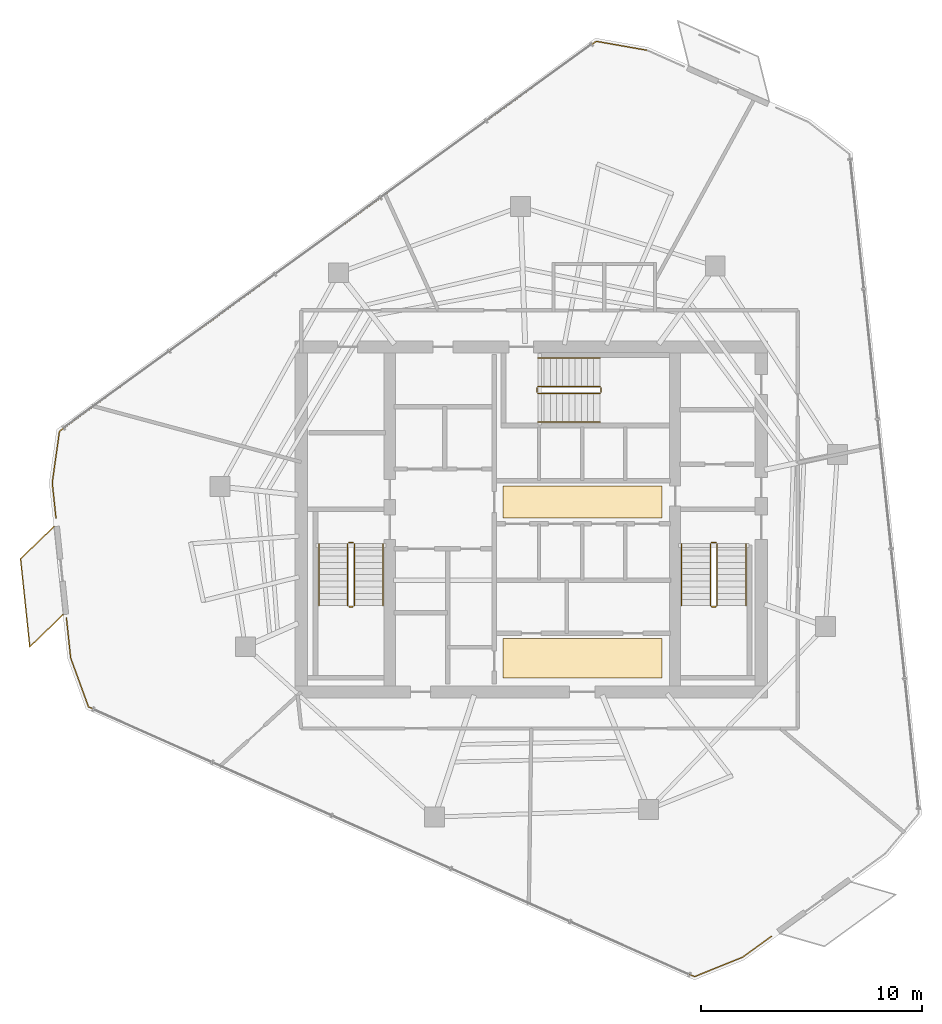
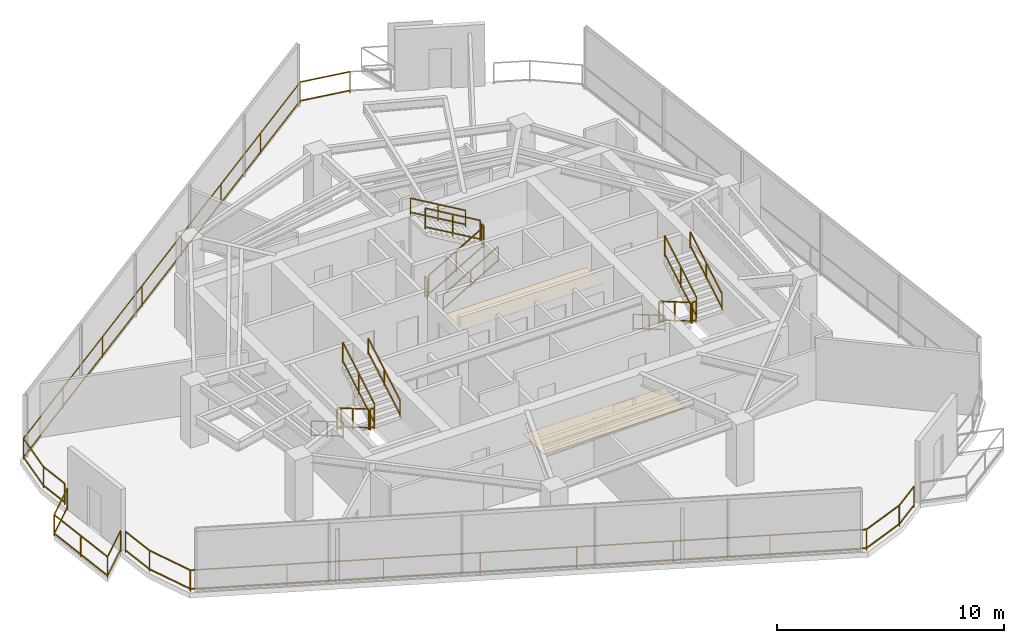
# One storey, part 19 of 20: 21 railings, 2 coverings.
"""IFC4 building model written with IfcOpenShell, lengths in metres."""

from ifc_helpers import new_model, si_unit, direction, frame, origin, origin_2d, place, context, subcontext, project, spatial, rectangle, extrude, material, layer, layer_set, type_object, element, save


model = new_model("IFC4")

# Units and contexts
model_context = context("Model", 3, precision=1e-05, world=origin(), true_north=direction((0.0, 1.0)))
body_context = subcontext(model_context, "Body", "Model", "MODEL_VIEW")
ifc_project = project(units=[si_unit("LENGTHUNIT", "METRE"), si_unit("AREAUNIT", "SQUARE_METRE"), si_unit("VOLUMEUNIT", "CUBIC_METRE"), si_unit("PLANEANGLEUNIT", "RADIAN"), si_unit("MASSUNIT", "GRAM", prefix="KILO")], contexts=[model_context])

# Site, building, storey
site_placement = place(None, origin())
site = spatial("IfcSite", under=ifc_project, at=site_placement, CompositionType="ELEMENT")
building_placement = place(site_placement, origin())
building = spatial("IfcBuilding", under=site, at=building_placement, Name="Qarnah Convention Tower", CompositionType="ELEMENT")
storey_placement = place(building_placement, frame((0.0, 0.0, 202.199951171875)))
storey = spatial("IfcBuildingStorey", under=building, at=storey_placement, Name="L54", CompositionType="ELEMENT", Elevation=202.199951171875)

# Coverings
ifc_material_1 = material(Name="Mineral fibre acoustic ceiling")
ifc_layer_1 = layer(ifc_material_1, 0.02001953125)
ifc_layer_set_1 = layer_set([ifc_layer_1], Name="Mineral fibre acoustic ceiling")
covering_type_1 = type_object("IfcCoveringType", Name="COV-CEIL-20", PredefinedType="CEILING", material=ifc_layer_set_1)
covering_1_placement = place(storey_placement, frame((39.52001953125, 27.179931640625, 2.2900390625), z_axis=(0.0, 0.0, 1.0), x_axis=(1.0, 0.0, 0.0)))
element("IfcCovering", 1, at=covering_1_placement, inside=storey, type_object=covering_type_1, Name="L54 lift lobby acoustic ceiling", PredefinedType="CEILING", context=body_context, shape_type="SweptSolid", body=[
    extrude(rectangle(XDim=7.199951171875, YDim=1.449951171875, at=origin_2d()), origin(), (0.0, 0.0, 1.0), 0.02001953125),
])
ifc_material_2 = material(Name="Porcelain stone floor tile", Category="masonry")
ifc_layer_2 = layer(ifc_material_2, 0.02001953125)
ifc_layer_set_2 = layer_set([ifc_layer_2], Name="Porcelain stone floor tile")
covering_type_2 = type_object("IfcCoveringType", Name="COV-FLOOR-20", PredefinedType="FLOORING", material=ifc_layer_set_2)
covering_2_placement = place(storey_placement, frame((39.52001953125, 20.1201171875, 0.0), z_axis=(0.0, 0.0, 1.0), x_axis=(1.0, 0.0, 0.0)))
element("IfcCovering", 2, at=covering_2_placement, inside=storey, type_object=covering_type_2, Name="L54 lift lobby porcelain stone flooring", PredefinedType="FLOORING", context=body_context, shape_type="SweptSolid", body=[
    extrude(rectangle(XDim=7.199951171875, YDim=1.800048828125, at=origin_2d()), origin(), (0.0, 0.0, 1.0), 0.02001953125),
])

# Railings
ifc_material_3 = material(Name="Black anodised aluminium", Category="aluminium")
railing_type_1 = type_object("IfcRailingType", Name="RL-EXT-GUARD-1150", PredefinedType="GUARDRAIL", material=ifc_material_3)
railing_1_placement = place(storey_placement, frame((48.051025390625, 7.549072265625, 0.0)))
element("IfcRailing", 3, at=railing_1_placement, inside=storey, type_object=railing_type_1, Name="L54 slab-edge perimeter safety guard 03", PredefinedType="GUARDRAIL", context=body_context, shape_type="SweptSolid", body=[
    extrude(rectangle(XDim=0.048095703125, YDim=0.048095703125, at=origin_2d()), frame((0.0, 0.0, 1.1259765625), z_axis=(-0.808934343012, -0.587898995318, 0.0), x_axis=(0.587898995318, -0.808934343012, 0.0)), (0.0, 0.0, 1.0), 1.59716796875),
    extrude(rectangle(XDim=0.048095703125, YDim=0.048095703125, at=origin_2d()), frame((0.0, 0.0, 0.1201171875), z_axis=(-0.808934343012, -0.587898995318, 0.0), x_axis=(0.587898995318, -0.808934343012, 0.0)), (0.0, 0.0, 1.0), 1.59716796875),
    extrude(rectangle(XDim=0.048095703125, YDim=0.048095703125, at=origin_2d()), frame((-1.2919921875, -0.93896484375, 1.1259765625), z_axis=(-0.92713155817, -0.374736005536, 0.0), x_axis=(0.374736005536, -0.92713155817, 0.0)), (0.0, 0.0, 1.0), 2.351318359375),
    extrude(rectangle(XDim=0.048095703125, YDim=0.048095703125, at=origin_2d()), frame((-1.2919921875, -0.93896484375, 0.1201171875), z_axis=(-0.92713155817, -0.374736005536, 0.0), x_axis=(0.374736005536, -0.92713155817, 0.0)), (0.0, 0.0, 1.0), 2.351318359375),
    extrude(rectangle(XDim=0.048095703125, YDim=0.048095703125, at=origin_2d()), frame((-3.471923828125, -1.820068359375, 1.1259765625), z_axis=(-0.91354987521, 0.406726720912, 0.0), x_axis=(-0.406726720912, -0.91354987521, 0.0)), (0.0, 0.0, 1.0), 29.9931640625),
    extrude(rectangle(XDim=0.048095703125, YDim=0.048095703125, at=origin_2d()), frame((-3.471923828125, -1.820068359375, 0.1201171875), z_axis=(-0.91354987521, 0.406726720912, 0.0), x_axis=(-0.406726720912, -0.91354987521, 0.0)), (0.0, 0.0, 1.0), 29.9931640625),
    extrude(rectangle(XDim=0.048095703125, YDim=0.048095703125, at=origin_2d()), frame((-30.8720703125, 10.37890625, 1.1259765625), z_axis=(-0.341868094665, 0.939747948043, 0.0), x_axis=(-0.939747948043, -0.341868094665, 0.0)), (0.0, 0.0, 1.0), 2.3515625),
    extrude(rectangle(XDim=0.048095703125, YDim=0.048095703125, at=origin_2d()), frame((-30.8720703125, 10.37890625, 0.1201171875), z_axis=(-0.341868094665, 0.939747948043, 0.0), x_axis=(-0.939747948043, -0.341868094665, 0.0)), (0.0, 0.0, 1.0), 2.3515625),
    extrude(rectangle(XDim=0.048095703125, YDim=0.048095703125, at=origin_2d()), frame((-31.676025390625, 12.5888671875, 1.1259765625), z_axis=(-0.104572256978, 0.994517291489, 0.0), x_axis=(-0.994517291489, -0.104572256978, 0.0)), (0.0, 0.0, 1.0), 1.80712890625),
    extrude(rectangle(XDim=0.048095703125, YDim=0.048095703125, at=origin_2d()), frame((-31.676025390625, 12.5888671875, 0.1201171875), z_axis=(-0.104572256978, 0.994517291489, 0.0), x_axis=(-0.994517291489, -0.104572256978, 0.0)), (0.0, 0.0, 1.0), 1.80712890625),
    extrude(rectangle(XDim=0.0419921875, YDim=0.0419921875, at=origin_2d()), origin(), (0.0, 0.0, 1.0), 1.101806640625),
    extrude(rectangle(XDim=0.0419921875, YDim=0.0419921875, at=origin_2d()), frame((-1.2919921875, -0.93896484375, 0.0)), (0.0, 0.0, 1.0), 1.101806640625),
    extrude(rectangle(XDim=0.0419921875, YDim=0.0419921875, at=origin_2d()), frame((-3.471923828125, -1.820068359375, 0.0)), (0.0, 0.0, 1.0), 1.101806640625),
    extrude(rectangle(XDim=0.0419921875, YDim=0.0419921875, at=origin_2d()), frame((-7.38623046875, -0.077392578125, 0.0)), (0.0, 0.0, 1.0), 1.101806640625),
    extrude(rectangle(XDim=0.0419921875, YDim=0.0419921875, at=origin_2d()), frame((-11.300537109375, 1.665283203125, 0.0)), (0.0, 0.0, 1.0), 1.101806640625),
    extrude(rectangle(XDim=0.0419921875, YDim=0.0419921875, at=origin_2d()), frame((-15.21484375, 3.407958984375, 0.0)), (0.0, 0.0, 1.0), 1.101806640625),
    extrude(rectangle(XDim=0.0419921875, YDim=0.0419921875, at=origin_2d()), frame((-19.129150390625, 5.15087890625, 0.0)), (0.0, 0.0, 1.0), 1.101806640625),
    extrude(rectangle(XDim=0.0419921875, YDim=0.0419921875, at=origin_2d()), frame((-23.04345703125, 6.8935546875, 0.0)), (0.0, 0.0, 1.0), 1.101806640625),
    extrude(rectangle(XDim=0.0419921875, YDim=0.0419921875, at=origin_2d()), frame((-26.957763671875, 8.63623046875, 0.0)), (0.0, 0.0, 1.0), 1.101806640625),
    extrude(rectangle(XDim=0.0419921875, YDim=0.0419921875, at=origin_2d()), frame((-30.8720703125, 10.37890625, 0.0)), (0.0, 0.0, 1.0), 1.101806640625),
    extrude(rectangle(XDim=0.0419921875, YDim=0.0419921875, at=origin_2d()), frame((-31.676025390625, 12.5888671875, 0.0)), (0.0, 0.0, 1.0), 1.101806640625),
    extrude(rectangle(XDim=0.0419921875, YDim=0.0419921875, at=origin_2d()), frame((-31.864990234375, 14.385986328125, 0.0)), (0.0, 0.0, 1.0), 1.101806640625),
])
railing_2_placement = place(storey_placement, frame((15.7099609375, 26.468017578125, 0.0)))
element("IfcRailing", 4, at=railing_2_placement, inside=storey, type_object=railing_type_1, Name="L54 slab-edge perimeter safety guard 04", PredefinedType="GUARDRAIL", context=body_context, shape_type="SweptSolid", body=[
    extrude(rectangle(XDim=0.048095703125, YDim=0.048095703125, at=origin_2d()), frame((0.0, 0.0, 1.1259765625), z_axis=(-0.104446319592, 0.994530525587, 0.0), x_axis=(-0.994530525587, -0.104446319592, 0.0)), (0.0, 0.0, 1.0), 1.598876953125),
    extrude(rectangle(XDim=0.048095703125, YDim=0.048095703125, at=origin_2d()), frame((0.0, 0.0, 0.1201171875), z_axis=(-0.104446319592, 0.994530525587, 0.0), x_axis=(-0.994530525587, -0.104446319592, 0.0)), (0.0, 0.0, 1.0), 1.598876953125),
    extrude(rectangle(XDim=0.048095703125, YDim=0.048095703125, at=origin_2d()), frame((-0.1669921875, 1.590087890625, 1.1259765625), z_axis=(0.139167310187, 0.990268882564, 0.0), x_axis=(-0.990268882564, 0.139167310187, 0.0)), (0.0, 0.0, 1.0), 2.350830078125),
    extrude(rectangle(XDim=0.048095703125, YDim=0.048095703125, at=origin_2d()), frame((-0.1669921875, 1.590087890625, 0.1201171875), z_axis=(0.139167310187, 0.990268882564, 0.0), x_axis=(-0.990268882564, 0.139167310187, 0.0)), (0.0, 0.0, 1.0), 2.350830078125),
    extrude(rectangle(XDim=0.048095703125, YDim=0.048095703125, at=origin_2d()), frame((0.16015625, 3.91796875, 1.1259765625), z_axis=(0.80901478465, 0.587788293706, 0.0), x_axis=(-0.587788293706, 0.80901478465, 0.0)), (0.0, 0.0, 1.0), 29.991943359375),
    extrude(rectangle(XDim=0.048095703125, YDim=0.048095703125, at=origin_2d()), frame((0.16015625, 3.91796875, 0.1201171875), z_axis=(0.80901478465, 0.587788293706, 0.0), x_axis=(-0.587788293706, 0.80901478465, 0.0)), (0.0, 0.0, 1.0), 29.991943359375),
    extrude(rectangle(XDim=0.048095703125, YDim=0.048095703125, at=origin_2d()), frame((24.424072265625, 21.546875, 1.1259765625), z_axis=(0.984765787095, -0.173886010266, 0.0), x_axis=(0.173886010266, 0.984765787095, 0.0)), (0.0, 0.0, 1.0), 2.351806640625),
    extrude(rectangle(XDim=0.048095703125, YDim=0.048095703125, at=origin_2d()), frame((24.424072265625, 21.546875, 0.1201171875), z_axis=(0.984765787095, -0.173886010266, 0.0), x_axis=(0.173886010266, 0.984765787095, 0.0)), (0.0, 0.0, 1.0), 2.351806640625),
    extrude(rectangle(XDim=0.0419921875, YDim=0.0419921875, at=origin_2d()), origin(), (0.0, 0.0, 1.0), 1.101806640625),
    extrude(rectangle(XDim=0.0419921875, YDim=0.0419921875, at=origin_2d()), frame((-0.1669921875, 1.590087890625, 0.0)), (0.0, 0.0, 1.0), 1.101806640625),
    extrude(rectangle(XDim=0.0419921875, YDim=0.0419921875, at=origin_2d()), frame((0.16015625, 3.91796875, 0.0)), (0.0, 0.0, 1.0), 1.101806640625),
    extrude(rectangle(XDim=0.0419921875, YDim=0.0419921875, at=origin_2d()), frame((3.62646484375, 6.436279296875, 0.0)), (0.0, 0.0, 1.0), 1.101806640625),
    extrude(rectangle(XDim=0.0419921875, YDim=0.0419921875, at=origin_2d()), frame((7.0927734375, 8.954833984375, 0.0)), (0.0, 0.0, 1.0), 1.101806640625),
    extrude(rectangle(XDim=0.0419921875, YDim=0.0419921875, at=origin_2d()), frame((10.55908203125, 11.47314453125, 0.0)), (0.0, 0.0, 1.0), 1.101806640625),
    extrude(rectangle(XDim=0.0419921875, YDim=0.0419921875, at=origin_2d()), frame((14.025146484375, 13.99169921875, 0.0)), (0.0, 0.0, 1.0), 1.101806640625),
    extrude(rectangle(XDim=0.0419921875, YDim=0.0419921875, at=origin_2d()), frame((17.491455078125, 16.510009765625, 0.0)), (0.0, 0.0, 1.0), 1.101806640625),
    extrude(rectangle(XDim=0.0419921875, YDim=0.0419921875, at=origin_2d()), frame((20.957763671875, 19.028564453125, 0.0)), (0.0, 0.0, 1.0), 1.101806640625),
    extrude(rectangle(XDim=0.0419921875, YDim=0.0419921875, at=origin_2d()), frame((24.424072265625, 21.546875, 0.0)), (0.0, 0.0, 1.0), 1.101806640625),
    extrude(rectangle(XDim=0.0419921875, YDim=0.0419921875, at=origin_2d()), frame((26.739990234375, 21.137939453125, 0.0)), (0.0, 0.0, 1.0), 1.101806640625),
])
railing_3_placement = place(storey_placement, frame((16.033935546875, 22.093994140625, 0.0)))
element("IfcRailing", 5, at=railing_3_placement, inside=storey, type_object=railing_type_1, Name="L54 balcony safety guard BAL-L54-C2", PredefinedType="GUARDRAIL", context=body_context, shape_type="SweptSolid", body=[
    extrude(rectangle(XDim=0.048095703125, YDim=0.048095703125, at=origin_2d()), frame((0.0, 0.0, 1.1259765625), z_axis=(-0.71958625535, -0.69440306819, 0.0), x_axis=(0.69440306819, -0.71958625535, 0.0)), (0.0, 0.0, 1.0), 2.093994140625),
    extrude(rectangle(XDim=0.048095703125, YDim=0.048095703125, at=origin_2d()), frame((0.0, 0.0, 0.1201171875), z_axis=(-0.71958625535, -0.69440306819, 0.0), x_axis=(0.69440306819, -0.71958625535, 0.0)), (0.0, 0.0, 1.0), 2.093994140625),
    extrude(rectangle(XDim=0.048095703125, YDim=0.048095703125, at=origin_2d()), frame((-1.5068359375, -1.4541015625, 1.1259765625), z_axis=(-0.104554517933, 0.994519156568, 0.0), x_axis=(-0.994519156568, -0.104554517933, 0.0)), (0.0, 0.0, 1.0), 4.0),
    extrude(rectangle(XDim=0.048095703125, YDim=0.048095703125, at=origin_2d()), frame((-1.5068359375, -1.4541015625, 0.1201171875), z_axis=(-0.104554517933, 0.994519156568, 0.0), x_axis=(-0.994519156568, -0.104554517933, 0.0)), (0.0, 0.0, 1.0), 4.0),
    extrude(rectangle(XDim=0.048095703125, YDim=0.048095703125, at=origin_2d()), frame((-1.925048828125, 2.52392578125, 1.1259765625), z_axis=(0.719642466899, 0.694344813357, 0.0), x_axis=(-0.694344813357, 0.719642466899, 0.0)), (0.0, 0.0, 1.0), 2.09423828125),
    extrude(rectangle(XDim=0.048095703125, YDim=0.048095703125, at=origin_2d()), frame((-1.925048828125, 2.52392578125, 0.1201171875), z_axis=(0.719642466899, 0.694344813357, 0.0), x_axis=(-0.694344813357, 0.719642466899, 0.0)), (0.0, 0.0, 1.0), 2.09423828125),
    extrude(rectangle(XDim=0.0419921875, YDim=0.0419921875, at=origin_2d()), origin(), (0.0, 0.0, 1.0), 1.101806640625),
    extrude(rectangle(XDim=0.0419921875, YDim=0.0419921875, at=origin_2d()), frame((-1.5068359375, -1.4541015625, 0.0)), (0.0, 0.0, 1.0), 1.101806640625),
    extrude(rectangle(XDim=0.0419921875, YDim=0.0419921875, at=origin_2d()), frame((-1.7158203125, 0.534912109375, 0.0)), (0.0, 0.0, 1.0), 1.101806640625),
    extrude(rectangle(XDim=0.0419921875, YDim=0.0419921875, at=origin_2d()), frame((-1.925048828125, 2.52392578125, 0.0)), (0.0, 0.0, 1.0), 1.101806640625),
    extrude(rectangle(XDim=0.0419921875, YDim=0.0419921875, at=origin_2d()), frame((-0.41796875, 3.97802734375, 0.0)), (0.0, 0.0, 1.0), 1.101806640625),
])
ifc_material_4 = material(Name="Structural steel S355JR", Category="steel")
railing_type_2 = type_object("IfcRailingType", Name="RL-STAIR-GUARD-1150", PredefinedType="GUARDRAIL", material=ifc_material_4)
railing_4_placement = place(storey_placement, frame((28.89990234375, 25.300048828125, 0.16357421875)))
element("IfcRailing", 6, at=railing_4_placement, inside=storey, type_object=railing_type_2, Name="L54 ST-1 stair guard 1", PredefinedType="GUARDRAIL", context=body_context, shape_type="SweptSolid", body=[
    extrude(rectangle(XDim=0.048095703125, YDim=0.048095703125, at=origin_2d()), frame((0.0, 0.0, 1.1259765625), z_axis=(0.0, -0.863360870873, 0.504586966384), x_axis=(1.0, 0.0, 0.0)), (0.0, 0.0, 1.0), 3.2431640625),
    extrude(rectangle(XDim=0.048095703125, YDim=0.048095703125, at=origin_2d()), frame((0.0, 0.0, 0.1201171875), z_axis=(0.0, -0.863360870873, 0.504586966384), x_axis=(1.0, 0.0, 0.0)), (0.0, 0.0, 1.0), 3.2431640625),
    extrude(rectangle(XDim=0.0419921875, YDim=0.0419921875, at=origin_2d()), origin(), (0.0, 0.0, 1.0), 1.101806640625),
    extrude(rectangle(XDim=0.0419921875, YDim=0.0419921875, at=origin_2d()), frame((0.0, -1.39990234375, 0.818359375)), (0.0, 0.0, 1.0), 1.101806640625),
    extrude(rectangle(XDim=0.0419921875, YDim=0.0419921875, at=origin_2d()), frame((0.0, -2.800048828125, 1.636474609375)), (0.0, 0.0, 1.0), 1.101806640625),
])
railing_5_placement = place(storey_placement, frame((28.949951171875, 22.449951171875, 1.800048828125)))
element("IfcRailing", 7, at=railing_5_placement, inside=storey, type_object=railing_type_2, Name="L54 ST-1 stair guard 2", PredefinedType="GUARDRAIL", context=body_context, shape_type="SweptSolid", body=[
    extrude(rectangle(XDim=0.048095703125, YDim=0.048095703125, at=origin_2d()), frame((0.0, 0.0, 1.1259765625), z_axis=(1.0, 0.0, 0.0), x_axis=(0.0, 1.0, 0.0)), (0.0, 0.0, 1.0), 0.199951171875),
    extrude(rectangle(XDim=0.048095703125, YDim=0.048095703125, at=origin_2d()), frame((0.0, 0.0, 0.1201171875), z_axis=(1.0, 0.0, 0.0), x_axis=(0.0, 1.0, 0.0)), (0.0, 0.0, 1.0), 0.199951171875),
    extrude(rectangle(XDim=0.0419921875, YDim=0.0419921875, at=origin_2d()), origin(), (0.0, 0.0, 1.0), 1.101806640625),
    extrude(rectangle(XDim=0.0419921875, YDim=0.0419921875, at=origin_2d()), frame((0.199951171875, 0.0, 0.0)), (0.0, 0.0, 1.0), 1.101806640625),
])
railing_6_placement = place(storey_placement, frame((29.199951171875, 22.5, 1.963623046875)))
element("IfcRailing", 8, at=railing_6_placement, inside=storey, type_object=railing_type_2, Name="L54 ST-1 stair guard 3", PredefinedType="GUARDRAIL", context=body_context, shape_type="SweptSolid", body=[
    extrude(rectangle(XDim=0.048095703125, YDim=0.048095703125, at=origin_2d()), frame((0.0, 0.0, 1.1259765625), z_axis=(0.0, 0.863360870873, 0.504586966384), x_axis=(-1.0, 0.0, 0.0)), (0.0, 0.0, 1.0), 3.2431640625),
    extrude(rectangle(XDim=0.048095703125, YDim=0.048095703125, at=origin_2d()), frame((0.0, 0.0, 0.1201171875), z_axis=(0.0, 0.863360870873, 0.504586966384), x_axis=(-1.0, 0.0, 0.0)), (0.0, 0.0, 1.0), 3.2431640625),
    extrude(rectangle(XDim=0.0419921875, YDim=0.0419921875, at=origin_2d()), origin(), (0.0, 0.0, 1.0), 1.101806640625),
    extrude(rectangle(XDim=0.0419921875, YDim=0.0419921875, at=origin_2d()), frame((0.0, 1.39990234375, 0.818359375)), (0.0, 0.0, 1.0), 1.101806640625),
    extrude(rectangle(XDim=0.0419921875, YDim=0.0419921875, at=origin_2d()), frame((0.0, 2.800048828125, 1.636474609375)), (0.0, 0.0, 1.0), 1.101806640625),
])
railing_7_placement = place(storey_placement, frame((28.949951171875, 25.35009765625, 0.0)))
element("IfcRailing", 9, at=railing_7_placement, inside=storey, type_object=railing_type_2, Name="L54 ST-1 stair guard 4", PredefinedType="GUARDRAIL", context=body_context, shape_type="SweptSolid", body=[
    extrude(rectangle(XDim=0.048095703125, YDim=0.048095703125, at=origin_2d()), frame((0.0, 0.0, 1.1259765625), z_axis=(1.0, 0.0, 0.0), x_axis=(0.0, 1.0, 0.0)), (0.0, 0.0, 1.0), 0.199951171875),
    extrude(rectangle(XDim=0.048095703125, YDim=0.048095703125, at=origin_2d()), frame((0.0, 0.0, 0.1201171875), z_axis=(1.0, 0.0, 0.0), x_axis=(0.0, 1.0, 0.0)), (0.0, 0.0, 1.0), 0.199951171875),
    extrude(rectangle(XDim=0.0419921875, YDim=0.0419921875, at=origin_2d()), origin(), (0.0, 0.0, 1.0), 1.101806640625),
    extrude(rectangle(XDim=0.0419921875, YDim=0.0419921875, at=origin_2d()), frame((0.199951171875, 0.0, 0.0)), (0.0, 0.0, 1.0), 1.101806640625),
])
railing_8_placement = place(storey_placement, frame((45.300048828125, 25.300048828125, 0.16357421875)))
element("IfcRailing", 10, at=railing_8_placement, inside=storey, type_object=railing_type_2, Name="L54 ST-2 stair guard 1", PredefinedType="GUARDRAIL", context=body_context, shape_type="SweptSolid", body=[
    extrude(rectangle(XDim=0.048095703125, YDim=0.048095703125, at=origin_2d()), frame((0.0, 0.0, 1.1259765625), z_axis=(0.0, -0.863360870873, 0.504586966384), x_axis=(1.0, 0.0, 0.0)), (0.0, 0.0, 1.0), 3.2431640625),
    extrude(rectangle(XDim=0.048095703125, YDim=0.048095703125, at=origin_2d()), frame((0.0, 0.0, 0.1201171875), z_axis=(0.0, -0.863360870873, 0.504586966384), x_axis=(1.0, 0.0, 0.0)), (0.0, 0.0, 1.0), 3.2431640625),
    extrude(rectangle(XDim=0.0419921875, YDim=0.0419921875, at=origin_2d()), origin(), (0.0, 0.0, 1.0), 1.101806640625),
    extrude(rectangle(XDim=0.0419921875, YDim=0.0419921875, at=origin_2d()), frame((0.0, -1.39990234375, 0.818359375)), (0.0, 0.0, 1.0), 1.101806640625),
    extrude(rectangle(XDim=0.0419921875, YDim=0.0419921875, at=origin_2d()), frame((0.0, -2.800048828125, 1.636474609375)), (0.0, 0.0, 1.0), 1.101806640625),
])
railing_9_placement = place(storey_placement, frame((45.35009765625, 22.449951171875, 1.800048828125)))
element("IfcRailing", 11, at=railing_9_placement, inside=storey, type_object=railing_type_2, Name="L54 ST-2 stair guard 2", PredefinedType="GUARDRAIL", context=body_context, shape_type="SweptSolid", body=[
    extrude(rectangle(XDim=0.048095703125, YDim=0.048095703125, at=origin_2d()), frame((0.0, 0.0, 1.1259765625), z_axis=(1.0, 0.0, 0.0), x_axis=(0.0, 1.0, 0.0)), (0.0, 0.0, 1.0), 0.199951171875),
    extrude(rectangle(XDim=0.048095703125, YDim=0.048095703125, at=origin_2d()), frame((0.0, 0.0, 0.1201171875), z_axis=(1.0, 0.0, 0.0), x_axis=(0.0, 1.0, 0.0)), (0.0, 0.0, 1.0), 0.199951171875),
    extrude(rectangle(XDim=0.0419921875, YDim=0.0419921875, at=origin_2d()), origin(), (0.0, 0.0, 1.0), 1.101806640625),
    extrude(rectangle(XDim=0.0419921875, YDim=0.0419921875, at=origin_2d()), frame((0.199951171875, 0.0, 0.0)), (0.0, 0.0, 1.0), 1.101806640625),
])
railing_10_placement = place(storey_placement, frame((45.60009765625, 22.5, 1.963623046875)))
element("IfcRailing", 12, at=railing_10_placement, inside=storey, type_object=railing_type_2, Name="L54 ST-2 stair guard 3", PredefinedType="GUARDRAIL", context=body_context, shape_type="SweptSolid", body=[
    extrude(rectangle(XDim=0.048095703125, YDim=0.048095703125, at=origin_2d()), frame((0.0, 0.0, 1.1259765625), z_axis=(0.0, 0.863360870873, 0.504586966384), x_axis=(-1.0, 0.0, 0.0)), (0.0, 0.0, 1.0), 3.2431640625),
    extrude(rectangle(XDim=0.048095703125, YDim=0.048095703125, at=origin_2d()), frame((0.0, 0.0, 0.1201171875), z_axis=(0.0, 0.863360870873, 0.504586966384), x_axis=(-1.0, 0.0, 0.0)), (0.0, 0.0, 1.0), 3.2431640625),
    extrude(rectangle(XDim=0.0419921875, YDim=0.0419921875, at=origin_2d()), origin(), (0.0, 0.0, 1.0), 1.101806640625),
    extrude(rectangle(XDim=0.0419921875, YDim=0.0419921875, at=origin_2d()), frame((0.0, 1.39990234375, 0.818359375)), (0.0, 0.0, 1.0), 1.101806640625),
    extrude(rectangle(XDim=0.0419921875, YDim=0.0419921875, at=origin_2d()), frame((0.0, 2.800048828125, 1.636474609375)), (0.0, 0.0, 1.0), 1.101806640625),
])
railing_11_placement = place(storey_placement, frame((45.35009765625, 25.35009765625, 0.0)))
element("IfcRailing", 13, at=railing_11_placement, inside=storey, type_object=railing_type_2, Name="L54 ST-2 stair guard 4", PredefinedType="GUARDRAIL", context=body_context, shape_type="SweptSolid", body=[
    extrude(rectangle(XDim=0.048095703125, YDim=0.048095703125, at=origin_2d()), frame((0.0, 0.0, 1.1259765625), z_axis=(1.0, 0.0, 0.0), x_axis=(0.0, 1.0, 0.0)), (0.0, 0.0, 1.0), 0.199951171875),
    extrude(rectangle(XDim=0.048095703125, YDim=0.048095703125, at=origin_2d()), frame((0.0, 0.0, 0.1201171875), z_axis=(1.0, 0.0, 0.0), x_axis=(0.0, 1.0, 0.0)), (0.0, 0.0, 1.0), 0.199951171875),
    extrude(rectangle(XDim=0.0419921875, YDim=0.0419921875, at=origin_2d()), origin(), (0.0, 0.0, 1.0), 1.101806640625),
    extrude(rectangle(XDim=0.0419921875, YDim=0.0419921875, at=origin_2d()), frame((0.199951171875, 0.0, 0.0)), (0.0, 0.0, 1.0), 1.101806640625),
])
railing_12_placement = place(storey_placement, frame((37.5, 32.10009765625, 0.16357421875)))
element("IfcRailing", 14, at=railing_12_placement, inside=storey, type_object=railing_type_2, Name="L54 ST-3 stair guard 1", PredefinedType="GUARDRAIL", context=body_context, shape_type="SweptSolid", body=[
    extrude(rectangle(XDim=0.048095703125, YDim=0.048095703125, at=origin_2d()), frame((0.0, 0.0, 1.1259765625), z_axis=(0.863360870873, 0.0, 0.504586966384), x_axis=(0.0, 1.0, 0.0)), (0.0, 0.0, 1.0), 3.2431640625),
    extrude(rectangle(XDim=0.048095703125, YDim=0.048095703125, at=origin_2d()), frame((0.0, 0.0, 0.1201171875), z_axis=(0.863360870873, 0.0, 0.504586966384), x_axis=(0.0, 1.0, 0.0)), (0.0, 0.0, 1.0), 3.2431640625),
    extrude(rectangle(XDim=0.0419921875, YDim=0.0419921875, at=origin_2d()), origin(), (0.0, 0.0, 1.0), 1.101806640625),
    extrude(rectangle(XDim=0.0419921875, YDim=0.0419921875, at=origin_2d()), frame((1.39990234375, 0.0, 0.818359375)), (0.0, 0.0, 1.0), 1.101806640625),
    extrude(rectangle(XDim=0.0419921875, YDim=0.0419921875, at=origin_2d()), frame((2.800048828125, 0.0, 1.636474609375)), (0.0, 0.0, 1.0), 1.101806640625),
])
railing_13_placement = place(storey_placement, frame((40.35009765625, 32.14990234375, 1.800048828125)))
element("IfcRailing", 15, at=railing_13_placement, inside=storey, type_object=railing_type_2, Name="L54 ST-3 stair guard 2", PredefinedType="GUARDRAIL", context=body_context, shape_type="SweptSolid", body=[
    extrude(rectangle(XDim=0.048095703125, YDim=0.048095703125, at=origin_2d()), frame((0.0, 0.0, 1.1259765625), z_axis=(0.0, 1.0, 0.0), x_axis=(-1.0, 0.0, 0.0)), (0.0, 0.0, 1.0), 0.2001953125),
    extrude(rectangle(XDim=0.048095703125, YDim=0.048095703125, at=origin_2d()), frame((0.0, 0.0, 0.1201171875), z_axis=(0.0, 1.0, 0.0), x_axis=(-1.0, 0.0, 0.0)), (0.0, 0.0, 1.0), 0.2001953125),
    extrude(rectangle(XDim=0.0419921875, YDim=0.0419921875, at=origin_2d()), origin(), (0.0, 0.0, 1.0), 1.101806640625),
    extrude(rectangle(XDim=0.0419921875, YDim=0.0419921875, at=origin_2d()), frame((0.0, 0.2001953125, 0.0)), (0.0, 0.0, 1.0), 1.101806640625),
])
railing_14_placement = place(storey_placement, frame((40.300048828125, 32.39990234375, 1.963623046875)))
element("IfcRailing", 16, at=railing_14_placement, inside=storey, type_object=railing_type_2, Name="L54 ST-3 stair guard 3", PredefinedType="GUARDRAIL", context=body_context, shape_type="SweptSolid", body=[
    extrude(rectangle(XDim=0.048095703125, YDim=0.048095703125, at=origin_2d()), frame((0.0, 0.0, 1.1259765625), z_axis=(-0.863360870873, 0.0, 0.504586966384), x_axis=(0.0, -1.0, 0.0)), (0.0, 0.0, 1.0), 3.2431640625),
    extrude(rectangle(XDim=0.048095703125, YDim=0.048095703125, at=origin_2d()), frame((0.0, 0.0, 0.1201171875), z_axis=(-0.863360870873, 0.0, 0.504586966384), x_axis=(0.0, -1.0, 0.0)), (0.0, 0.0, 1.0), 3.2431640625),
    extrude(rectangle(XDim=0.0419921875, YDim=0.0419921875, at=origin_2d()), origin(), (0.0, 0.0, 1.0), 1.101806640625),
    extrude(rectangle(XDim=0.0419921875, YDim=0.0419921875, at=origin_2d()), frame((-1.39990234375, 0.0, 0.818359375)), (0.0, 0.0, 1.0), 1.101806640625),
    extrude(rectangle(XDim=0.0419921875, YDim=0.0419921875, at=origin_2d()), frame((-2.800048828125, 0.0, 1.636474609375)), (0.0, 0.0, 1.0), 1.101806640625),
])
railing_15_placement = place(storey_placement, frame((37.449951171875, 32.14990234375, 0.0)))
element("IfcRailing", 17, at=railing_15_placement, inside=storey, type_object=railing_type_2, Name="L54 ST-3 stair guard 4", PredefinedType="GUARDRAIL", context=body_context, shape_type="SweptSolid", body=[
    extrude(rectangle(XDim=0.048095703125, YDim=0.048095703125, at=origin_2d()), frame((0.0, 0.0, 1.1259765625), z_axis=(0.0, 1.0, 0.0), x_axis=(-1.0, 0.0, 0.0)), (0.0, 0.0, 1.0), 0.2001953125),
    extrude(rectangle(XDim=0.048095703125, YDim=0.048095703125, at=origin_2d()), frame((0.0, 0.0, 0.1201171875), z_axis=(0.0, 1.0, 0.0), x_axis=(-1.0, 0.0, 0.0)), (0.0, 0.0, 1.0), 0.2001953125),
    extrude(rectangle(XDim=0.0419921875, YDim=0.0419921875, at=origin_2d()), origin(), (0.0, 0.0, 1.0), 1.101806640625),
    extrude(rectangle(XDim=0.0419921875, YDim=0.0419921875, at=origin_2d()), frame((0.0, 0.2001953125, 0.0)), (0.0, 0.0, 1.0), 1.101806640625),
])
railing_type_3 = type_object("IfcRailingType", Name="RL-STAIR-HAND-900", PredefinedType="HANDRAIL", material=ifc_material_4)
railing_16_placement = place(storey_placement, frame((27.60009765625, 25.300048828125, 0.16357421875)))
element("IfcRailing", 18, at=railing_16_placement, inside=storey, type_object=railing_type_3, Name="L54 ST-1 stair handrail 1", PredefinedType="HANDRAIL", context=body_context, shape_type="SweptSolid", body=[
    extrude(rectangle(XDim=0.048095703125, YDim=0.048095703125, at=origin_2d()), frame((0.0, 0.0, 0.8759765625), z_axis=(0.0, -0.863360870873, 0.504586966384), x_axis=(1.0, 0.0, 0.0)), (0.0, 0.0, 1.0), 3.2431640625),
    extrude(rectangle(XDim=0.048095703125, YDim=0.048095703125, at=origin_2d()), frame((0.0, 0.0, 0.1201171875), z_axis=(0.0, -0.863360870873, 0.504586966384), x_axis=(1.0, 0.0, 0.0)), (0.0, 0.0, 1.0), 3.2431640625),
    extrude(rectangle(XDim=0.0419921875, YDim=0.0419921875, at=origin_2d()), origin(), (0.0, 0.0, 1.0), 0.851806640625),
    extrude(rectangle(XDim=0.0419921875, YDim=0.0419921875, at=origin_2d()), frame((0.0, -1.39990234375, 0.818359375)), (0.0, 0.0, 1.0), 0.851806640625),
    extrude(rectangle(XDim=0.0419921875, YDim=0.0419921875, at=origin_2d()), frame((0.0, -2.800048828125, 1.636474609375)), (0.0, 0.0, 1.0), 0.851806640625),
])
railing_17_placement = place(storey_placement, frame((30.5, 22.5, 1.963623046875)))
element("IfcRailing", 19, at=railing_17_placement, inside=storey, type_object=railing_type_3, Name="L54 ST-1 stair handrail 2", PredefinedType="HANDRAIL", context=body_context, shape_type="SweptSolid", body=[
    extrude(rectangle(XDim=0.048095703125, YDim=0.048095703125, at=origin_2d()), frame((0.0, 0.0, 0.8759765625), z_axis=(0.0, 0.863360870873, 0.504586966384), x_axis=(-1.0, 0.0, 0.0)), (0.0, 0.0, 1.0), 3.2431640625),
    extrude(rectangle(XDim=0.048095703125, YDim=0.048095703125, at=origin_2d()), frame((0.0, 0.0, 0.1201171875), z_axis=(0.0, 0.863360870873, 0.504586966384), x_axis=(-1.0, 0.0, 0.0)), (0.0, 0.0, 1.0), 3.2431640625),
    extrude(rectangle(XDim=0.0419921875, YDim=0.0419921875, at=origin_2d()), origin(), (0.0, 0.0, 1.0), 0.851806640625),
    extrude(rectangle(XDim=0.0419921875, YDim=0.0419921875, at=origin_2d()), frame((0.0, 1.39990234375, 0.818359375)), (0.0, 0.0, 1.0), 0.851806640625),
    extrude(rectangle(XDim=0.0419921875, YDim=0.0419921875, at=origin_2d()), frame((0.0, 2.800048828125, 1.636474609375)), (0.0, 0.0, 1.0), 0.851806640625),
])
railing_18_placement = place(storey_placement, frame((44.0, 25.300048828125, 0.16357421875)))
element("IfcRailing", 20, at=railing_18_placement, inside=storey, type_object=railing_type_3, Name="L54 ST-2 stair handrail 1", PredefinedType="HANDRAIL", context=body_context, shape_type="SweptSolid", body=[
    extrude(rectangle(XDim=0.048095703125, YDim=0.048095703125, at=origin_2d()), frame((0.0, 0.0, 0.8759765625), z_axis=(0.0, -0.863360870873, 0.504586966384), x_axis=(1.0, 0.0, 0.0)), (0.0, 0.0, 1.0), 3.2431640625),
    extrude(rectangle(XDim=0.048095703125, YDim=0.048095703125, at=origin_2d()), frame((0.0, 0.0, 0.1201171875), z_axis=(0.0, -0.863360870873, 0.504586966384), x_axis=(1.0, 0.0, 0.0)), (0.0, 0.0, 1.0), 3.2431640625),
    extrude(rectangle(XDim=0.0419921875, YDim=0.0419921875, at=origin_2d()), origin(), (0.0, 0.0, 1.0), 0.851806640625),
    extrude(rectangle(XDim=0.0419921875, YDim=0.0419921875, at=origin_2d()), frame((0.0, -1.39990234375, 0.818359375)), (0.0, 0.0, 1.0), 0.851806640625),
    extrude(rectangle(XDim=0.0419921875, YDim=0.0419921875, at=origin_2d()), frame((0.0, -2.800048828125, 1.636474609375)), (0.0, 0.0, 1.0), 0.851806640625),
])
railing_19_placement = place(storey_placement, frame((46.89990234375, 22.5, 1.963623046875)))
element("IfcRailing", 21, at=railing_19_placement, inside=storey, type_object=railing_type_3, Name="L54 ST-2 stair handrail 2", PredefinedType="HANDRAIL", context=body_context, shape_type="SweptSolid", body=[
    extrude(rectangle(XDim=0.048095703125, YDim=0.048095703125, at=origin_2d()), frame((0.0, 0.0, 0.8759765625), z_axis=(0.0, 0.863360870873, 0.504586966384), x_axis=(-1.0, 0.0, 0.0)), (0.0, 0.0, 1.0), 3.2431640625),
    extrude(rectangle(XDim=0.048095703125, YDim=0.048095703125, at=origin_2d()), frame((0.0, 0.0, 0.1201171875), z_axis=(0.0, 0.863360870873, 0.504586966384), x_axis=(-1.0, 0.0, 0.0)), (0.0, 0.0, 1.0), 3.2431640625),
    extrude(rectangle(XDim=0.0419921875, YDim=0.0419921875, at=origin_2d()), origin(), (0.0, 0.0, 1.0), 0.851806640625),
    extrude(rectangle(XDim=0.0419921875, YDim=0.0419921875, at=origin_2d()), frame((0.0, 1.39990234375, 0.818359375)), (0.0, 0.0, 1.0), 0.851806640625),
    extrude(rectangle(XDim=0.0419921875, YDim=0.0419921875, at=origin_2d()), frame((0.0, 2.800048828125, 1.636474609375)), (0.0, 0.0, 1.0), 0.851806640625),
])
railing_20_placement = place(storey_placement, frame((37.5, 30.800048828125, 0.16357421875)))
element("IfcRailing", 22, at=railing_20_placement, inside=storey, type_object=railing_type_3, Name="L54 ST-3 stair handrail 1", PredefinedType="HANDRAIL", context=body_context, shape_type="SweptSolid", body=[
    extrude(rectangle(XDim=0.048095703125, YDim=0.048095703125, at=origin_2d()), frame((0.0, 0.0, 0.8759765625), z_axis=(0.863360870873, 0.0, 0.504586966384), x_axis=(0.0, 1.0, 0.0)), (0.0, 0.0, 1.0), 3.2431640625),
    extrude(rectangle(XDim=0.048095703125, YDim=0.048095703125, at=origin_2d()), frame((0.0, 0.0, 0.1201171875), z_axis=(0.863360870873, 0.0, 0.504586966384), x_axis=(0.0, 1.0, 0.0)), (0.0, 0.0, 1.0), 3.2431640625),
    extrude(rectangle(XDim=0.0419921875, YDim=0.0419921875, at=origin_2d()), origin(), (0.0, 0.0, 1.0), 0.851806640625),
    extrude(rectangle(XDim=0.0419921875, YDim=0.0419921875, at=origin_2d()), frame((1.39990234375, 0.0, 0.818359375)), (0.0, 0.0, 1.0), 0.851806640625),
    extrude(rectangle(XDim=0.0419921875, YDim=0.0419921875, at=origin_2d()), frame((2.800048828125, 0.0, 1.636474609375)), (0.0, 0.0, 1.0), 0.851806640625),
])
railing_21_placement = place(storey_placement, frame((40.300048828125, 33.699951171875, 1.963623046875)))
element("IfcRailing", 23, at=railing_21_placement, inside=storey, type_object=railing_type_3, Name="L54 ST-3 stair handrail 2", PredefinedType="HANDRAIL", context=body_context, shape_type="SweptSolid", body=[
    extrude(rectangle(XDim=0.048095703125, YDim=0.048095703125, at=origin_2d()), frame((0.0, 0.0, 0.8759765625), z_axis=(-0.863360870873, 0.0, 0.504586966384), x_axis=(0.0, -1.0, 0.0)), (0.0, 0.0, 1.0), 3.2431640625),
    extrude(rectangle(XDim=0.048095703125, YDim=0.048095703125, at=origin_2d()), frame((0.0, 0.0, 0.1201171875), z_axis=(-0.863360870873, 0.0, 0.504586966384), x_axis=(0.0, -1.0, 0.0)), (0.0, 0.0, 1.0), 3.2431640625),
    extrude(rectangle(XDim=0.0419921875, YDim=0.0419921875, at=origin_2d()), origin(), (0.0, 0.0, 1.0), 0.851806640625),
    extrude(rectangle(XDim=0.0419921875, YDim=0.0419921875, at=origin_2d()), frame((-1.39990234375, 0.0, 0.818359375)), (0.0, 0.0, 1.0), 0.851806640625),
    extrude(rectangle(XDim=0.0419921875, YDim=0.0419921875, at=origin_2d()), frame((-2.800048828125, 0.0, 1.636474609375)), (0.0, 0.0, 1.0), 0.851806640625),
])

save(model, "model.ifc")
